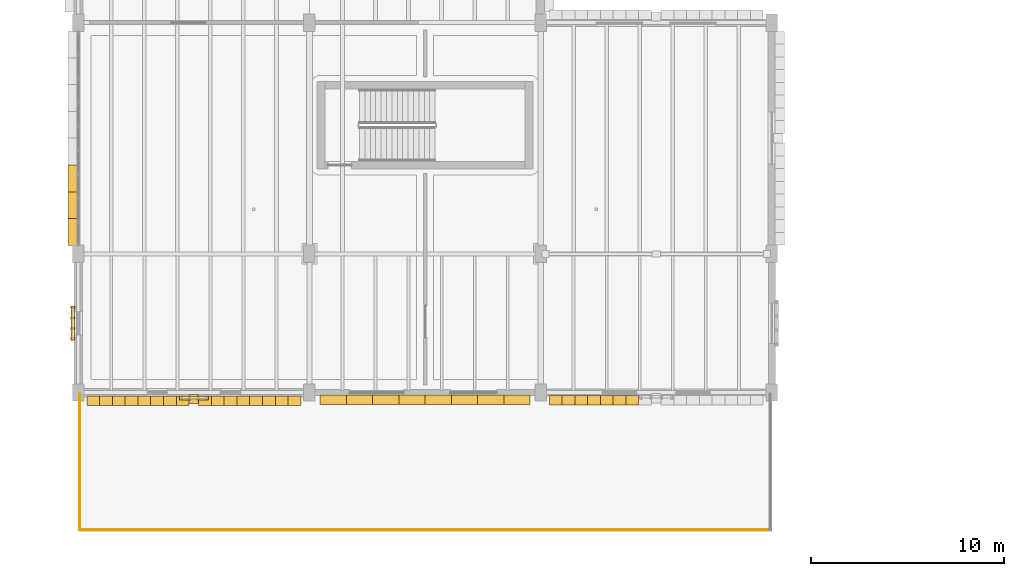
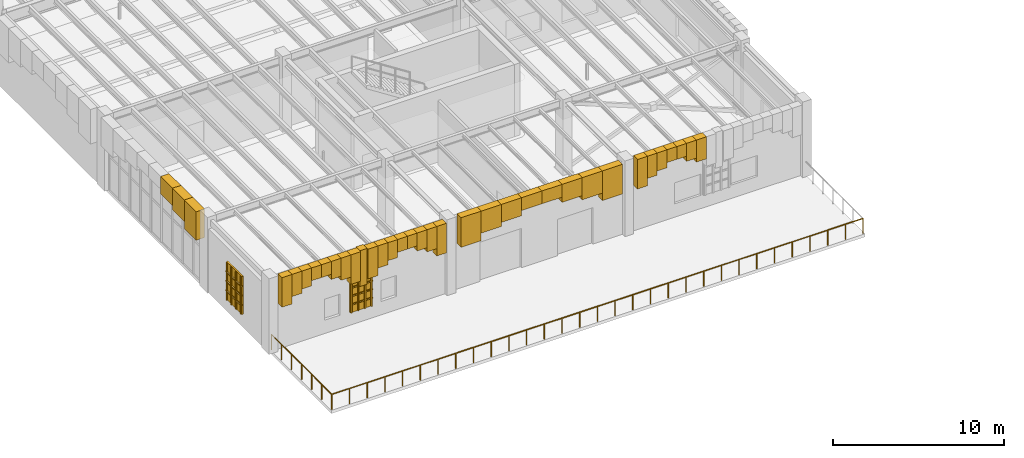
# One storey, part 70 of 103: 49 coverings, 2 railings, 2 shading devices.
"""IFC4 building model written with IfcOpenShell, lengths in metres."""

from ifc_helpers import new_model, si_unit, direction, frame, origin, origin_2d, place, context, subcontext, project, spatial, polyline, rectangle, circle, outline, extrude, material, layer, layer_set, type_object, element, save


model = new_model("IFC4")

# Units and contexts
model_context = context("Model", 3, precision=1e-05, world=origin(), true_north=direction((0.0, 1.0)))
body_context = subcontext(model_context, "Body", "Model", "MODEL_VIEW")
ifc_project = project(units=[si_unit("LENGTHUNIT", "METRE"), si_unit("AREAUNIT", "SQUARE_METRE"), si_unit("VOLUMEUNIT", "CUBIC_METRE"), si_unit("PLANEANGLEUNIT", "RADIAN"), si_unit("MASSUNIT", "GRAM", prefix="KILO")], contexts=[model_context])

# Site, building, storey
site_placement = place(None, origin())
site = spatial("IfcSite", under=ifc_project, at=site_placement, CompositionType="ELEMENT")
building_placement = place(site_placement, origin())
building = spatial("IfcBuilding", under=site, at=building_placement, Name="Zlatogorsky Bluff Art Gallery", CompositionType="ELEMENT")
storey_placement = place(building_placement, origin())
storey = spatial("IfcBuildingStorey", under=building, at=storey_placement, Name="L00", CompositionType="ELEMENT", Elevation=0.0)

# Coverings
ifc_material_1 = material(Name="Honed Red Agra-Tone Quartzitic Sandstone", Category="masonry")
ifc_layer = layer(ifc_material_1, 0.1201171875)
ifc_layer_set = layer_set([ifc_layer], Name="Carved Sandstone Cladding CLD-02")
covering_type = type_object("IfcCoveringType", Name="Carved Sandstone Cladding CLD-02", PredefinedType="CLADDING", material=ifc_layer_set)
covering_1_placement = place(storey_placement, frame((0.0, 0.0, 2.81005859375)))
element("IfcCovering", 1, at=covering_1_placement, inside=storey, type_object=covering_type, Name="Mughal blind-arch sandstone pilaster L00.S.0.1", PredefinedType="CLADDING", context=body_context, shape_type="SweptSolid", body=[
    extrude(outline(polyline([(5.760009765625, 6.6201171875), (6.239990234375, 6.6201171875), (6.239990234375, 7.10009765625), (5.760009765625, 7.10009765625), (5.760009765625, 6.6201171875)])), origin(), (0.0, 0.0, 1.0), 2.550048828125),
])
covering_2_placement = place(storey_placement, frame((0.0, 0.0, 3.25244140625)))
element("IfcCovering", 2, at=covering_2_placement, inside=storey, type_object=covering_type, Name="Pointed Mughal arch voussoir spandrel WARCH-L00-S-00-01-A.1", PredefinedType="CLADDING", context=body_context, shape_type="SweptSolid", body=[
    extrude(outline(polyline([(0.449951171875, 6.52001953125), (1.112548828125, 6.52001953125), (1.112548828125, 7.010009765625), (0.449951171875, 7.010009765625), (0.449951171875, 6.52001953125)])), origin(), (0.0, 0.0, 1.0), 2.107666015625),
])
covering_3_placement = place(storey_placement, frame((0.0, 0.0, 3.78369140625)))
element("IfcCovering", 3, at=covering_3_placement, inside=storey, type_object=covering_type, Name="Pointed Mughal arch voussoir spandrel WARCH-L00-S-00-01-A.2", PredefinedType="CLADDING", context=body_context, shape_type="SweptSolid", body=[
    extrude(outline(polyline([(1.112548828125, 6.52001953125), (1.77490234375, 6.52001953125), (1.77490234375, 7.010009765625), (1.112548828125, 7.010009765625), (1.112548828125, 6.52001953125)])), origin(), (0.0, 0.0, 1.0), 1.576416015625),
])
covering_4_placement = place(storey_placement, frame((0.0, 0.0, 4.07666015625)))
element("IfcCovering", 4, at=covering_4_placement, inside=storey, type_object=covering_type, Name="Pointed Mughal arch voussoir spandrel WARCH-L00-S-00-01-A.3", PredefinedType="CLADDING", context=body_context, shape_type="SweptSolid", body=[
    extrude(outline(polyline([(1.77490234375, 6.52001953125), (2.4375, 6.52001953125), (2.4375, 7.010009765625), (1.77490234375, 7.010009765625), (1.77490234375, 6.52001953125)])), origin(), (0.0, 0.0, 1.0), 1.283447265625),
])
covering_5_placement = place(storey_placement, frame((0.0, 0.0, 4.4453125)))
element("IfcCovering", 5, at=covering_5_placement, inside=storey, type_object=covering_type, Name="Pointed Mughal arch voussoir spandrel WARCH-L00-S-00-01-A.4", PredefinedType="CLADDING", context=body_context, shape_type="SweptSolid", body=[
    extrude(outline(polyline([(2.4375, 6.52001953125), (3.10009765625, 6.52001953125), (3.10009765625, 7.010009765625), (2.4375, 7.010009765625), (2.4375, 6.52001953125)])), origin(), (0.0, 0.0, 1.0), 0.914794921875),
])
covering_6_placement = place(storey_placement, frame((0.0, 0.0, 4.4453125)))
element("IfcCovering", 6, at=covering_6_placement, inside=storey, type_object=covering_type, Name="Pointed Mughal arch voussoir spandrel WARCH-L00-S-00-01-A.5", PredefinedType="CLADDING", context=body_context, shape_type="SweptSolid", body=[
    extrude(outline(polyline([(3.10009765625, 6.52001953125), (3.762451171875, 6.52001953125), (3.762451171875, 7.010009765625), (3.10009765625, 7.010009765625), (3.10009765625, 6.52001953125)])), origin(), (0.0, 0.0, 1.0), 0.914794921875),
])
covering_7_placement = place(storey_placement, frame((0.0, 0.0, 4.07666015625)))
element("IfcCovering", 7, at=covering_7_placement, inside=storey, type_object=covering_type, Name="Pointed Mughal arch voussoir spandrel WARCH-L00-S-00-01-A.6", PredefinedType="CLADDING", context=body_context, shape_type="SweptSolid", body=[
    extrude(outline(polyline([(3.762451171875, 6.52001953125), (4.425048828125, 6.52001953125), (4.425048828125, 7.010009765625), (3.762451171875, 7.010009765625), (3.762451171875, 6.52001953125)])), origin(), (0.0, 0.0, 1.0), 1.283447265625),
])
covering_8_placement = place(storey_placement, frame((0.0, 0.0, 3.78369140625)))
element("IfcCovering", 8, at=covering_8_placement, inside=storey, type_object=covering_type, Name="Pointed Mughal arch voussoir spandrel WARCH-L00-S-00-01-A.7", PredefinedType="CLADDING", context=body_context, shape_type="SweptSolid", body=[
    extrude(outline(polyline([(4.425048828125, 6.52001953125), (5.08740234375, 6.52001953125), (5.08740234375, 7.010009765625), (4.425048828125, 7.010009765625), (4.425048828125, 6.52001953125)])), origin(), (0.0, 0.0, 1.0), 1.576416015625),
])
covering_9_placement = place(storey_placement, frame((0.0, 0.0, 3.25244140625)))
element("IfcCovering", 9, at=covering_9_placement, inside=storey, type_object=covering_type, Name="Pointed Mughal arch voussoir spandrel WARCH-L00-S-00-01-A.8", PredefinedType="CLADDING", context=body_context, shape_type="SweptSolid", body=[
    extrude(outline(polyline([(5.08740234375, 6.52001953125), (5.75, 6.52001953125), (5.75, 7.010009765625), (5.08740234375, 7.010009765625), (5.08740234375, 6.52001953125)])), origin(), (0.0, 0.0, 1.0), 2.107666015625),
])
covering_10_placement = place(storey_placement, frame((0.0, 0.0, 3.25244140625)))
element("IfcCovering", 10, at=covering_10_placement, inside=storey, type_object=covering_type, Name="Pointed Mughal arch voussoir spandrel WARCH-L00-S-00-01-B.1", PredefinedType="CLADDING", context=body_context, shape_type="SweptSolid", body=[
    extrude(outline(polyline([(6.25, 6.52001953125), (6.91259765625, 6.52001953125), (6.91259765625, 7.010009765625), (6.25, 7.010009765625), (6.25, 6.52001953125)])), origin(), (0.0, 0.0, 1.0), 2.107666015625),
])
covering_11_placement = place(storey_placement, frame((0.0, 0.0, 3.78369140625)))
element("IfcCovering", 11, at=covering_11_placement, inside=storey, type_object=covering_type, Name="Pointed Mughal arch voussoir spandrel WARCH-L00-S-00-01-B.2", PredefinedType="CLADDING", context=body_context, shape_type="SweptSolid", body=[
    extrude(outline(polyline([(6.91259765625, 6.52001953125), (7.574951171875, 6.52001953125), (7.574951171875, 7.010009765625), (6.91259765625, 7.010009765625), (6.91259765625, 6.52001953125)])), origin(), (0.0, 0.0, 1.0), 1.576416015625),
])
covering_12_placement = place(storey_placement, frame((0.0, 0.0, 4.07666015625)))
element("IfcCovering", 12, at=covering_12_placement, inside=storey, type_object=covering_type, Name="Pointed Mughal arch voussoir spandrel WARCH-L00-S-00-01-B.3", PredefinedType="CLADDING", context=body_context, shape_type="SweptSolid", body=[
    extrude(outline(polyline([(7.574951171875, 6.52001953125), (8.237548828125, 6.52001953125), (8.237548828125, 7.010009765625), (7.574951171875, 7.010009765625), (7.574951171875, 6.52001953125)])), origin(), (0.0, 0.0, 1.0), 1.283447265625),
])
covering_13_placement = place(storey_placement, frame((0.0, 0.0, 4.4453125)))
element("IfcCovering", 13, at=covering_13_placement, inside=storey, type_object=covering_type, Name="Pointed Mughal arch voussoir spandrel WARCH-L00-S-00-01-B.4", PredefinedType="CLADDING", context=body_context, shape_type="SweptSolid", body=[
    extrude(outline(polyline([(8.237548828125, 6.52001953125), (8.89990234375, 6.52001953125), (8.89990234375, 7.010009765625), (8.237548828125, 7.010009765625), (8.237548828125, 6.52001953125)])), origin(), (0.0, 0.0, 1.0), 0.914794921875),
])
covering_14_placement = place(storey_placement, frame((0.0, 0.0, 4.4453125)))
element("IfcCovering", 14, at=covering_14_placement, inside=storey, type_object=covering_type, Name="Pointed Mughal arch voussoir spandrel WARCH-L00-S-00-01-B.5", PredefinedType="CLADDING", context=body_context, shape_type="SweptSolid", body=[
    extrude(outline(polyline([(8.89990234375, 6.52001953125), (9.5625, 6.52001953125), (9.5625, 7.010009765625), (8.89990234375, 7.010009765625), (8.89990234375, 6.52001953125)])), origin(), (0.0, 0.0, 1.0), 0.914794921875),
])
covering_15_placement = place(storey_placement, frame((0.0, 0.0, 4.07666015625)))
element("IfcCovering", 15, at=covering_15_placement, inside=storey, type_object=covering_type, Name="Pointed Mughal arch voussoir spandrel WARCH-L00-S-00-01-B.6", PredefinedType="CLADDING", context=body_context, shape_type="SweptSolid", body=[
    extrude(outline(polyline([(9.5625, 6.52001953125), (10.22509765625, 6.52001953125), (10.22509765625, 7.010009765625), (9.5625, 7.010009765625), (9.5625, 6.52001953125)])), origin(), (0.0, 0.0, 1.0), 1.283447265625),
])
covering_16_placement = place(storey_placement, frame((0.0, 0.0, 3.78369140625)))
element("IfcCovering", 16, at=covering_16_placement, inside=storey, type_object=covering_type, Name="Pointed Mughal arch voussoir spandrel WARCH-L00-S-00-01-B.7", PredefinedType="CLADDING", context=body_context, shape_type="SweptSolid", body=[
    extrude(outline(polyline([(10.22509765625, 6.52001953125), (10.887451171875, 6.52001953125), (10.887451171875, 7.010009765625), (10.22509765625, 7.010009765625), (10.22509765625, 6.52001953125)])), origin(), (0.0, 0.0, 1.0), 1.576416015625),
])
covering_17_placement = place(storey_placement, frame((0.0, 0.0, 3.25244140625)))
element("IfcCovering", 17, at=covering_17_placement, inside=storey, type_object=covering_type, Name="Pointed Mughal arch voussoir spandrel WARCH-L00-S-00-01-B.8", PredefinedType="CLADDING", context=body_context, shape_type="SweptSolid", body=[
    extrude(outline(polyline([(10.887451171875, 6.52001953125), (11.550048828125, 6.52001953125), (11.550048828125, 7.010009765625), (10.887451171875, 7.010009765625), (10.887451171875, 6.52001953125)])), origin(), (0.0, 0.0, 1.0), 2.107666015625),
])
covering_18_placement = place(storey_placement, frame((0.0, 0.0, 0.949951171875)))
element("IfcCovering", 18, at=covering_18_placement, inside=storey, type_object=covering_type, Name="Pierced sandstone jali lattice bar L00.S.0.1", PredefinedType="CLADDING", context=body_context, shape_type="SweptSolid", body=[
    extrude(outline(polyline([(5.280029296875, 6.820068359375), (5.3701171875, 6.820068359375), (5.3701171875, 7.010009765625), (5.280029296875, 7.010009765625), (5.280029296875, 6.820068359375)])), origin(), (0.0, 0.0, 1.0), 2.400146484375),
])
covering_19_placement = place(storey_placement, frame((0.0, 0.0, 0.949951171875)))
element("IfcCovering", 19, at=covering_19_placement, inside=storey, type_object=covering_type, Name="Pierced sandstone jali lattice bar L00.S.0.1", PredefinedType="CLADDING", context=body_context, shape_type="SweptSolid", body=[
    extrude(outline(polyline([(5.72998046875, 6.820068359375), (5.820068359375, 6.820068359375), (5.820068359375, 7.010009765625), (5.72998046875, 7.010009765625), (5.72998046875, 6.820068359375)])), origin(), (0.0, 0.0, 1.0), 2.400146484375),
])
covering_20_placement = place(storey_placement, frame((0.0, 0.0, 0.949951171875)))
element("IfcCovering", 20, at=covering_20_placement, inside=storey, type_object=covering_type, Name="Pierced sandstone jali lattice bar L00.S.0.1", PredefinedType="CLADDING", context=body_context, shape_type="SweptSolid", body=[
    extrude(outline(polyline([(6.179931640625, 6.820068359375), (6.27001953125, 6.820068359375), (6.27001953125, 7.010009765625), (6.179931640625, 7.010009765625), (6.179931640625, 6.820068359375)])), origin(), (0.0, 0.0, 1.0), 2.400146484375),
])
covering_21_placement = place(storey_placement, frame((0.0, 0.0, 0.949951171875)))
element("IfcCovering", 21, at=covering_21_placement, inside=storey, type_object=covering_type, Name="Pierced sandstone jali lattice bar L00.S.0.1", PredefinedType="CLADDING", context=body_context, shape_type="SweptSolid", body=[
    extrude(outline(polyline([(6.6298828125, 6.820068359375), (6.719970703125, 6.820068359375), (6.719970703125, 7.010009765625), (6.6298828125, 7.010009765625), (6.6298828125, 6.820068359375)])), origin(), (0.0, 0.0, 1.0), 2.400146484375),
])
covering_22_placement = place(storey_placement, frame((0.0, 0.0, 1.510009765625)))
element("IfcCovering", 22, at=covering_22_placement, inside=storey, type_object=covering_type, Name="Pierced sandstone jali lattice transom L00.S.0.1", PredefinedType="CLADDING", context=body_context, shape_type="SweptSolid", body=[
    extrude(outline(polyline([(5.25, 6.820068359375), (6.75, 6.820068359375), (6.75, 7.010009765625), (5.25, 7.010009765625), (5.25, 6.820068359375)])), origin(), (0.0, 0.0, 1.0), 0.080078125),
])
covering_23_placement = place(storey_placement, frame((0.0, 0.0, 2.110107421875)))
element("IfcCovering", 23, at=covering_23_placement, inside=storey, type_object=covering_type, Name="Pierced sandstone jali lattice transom L00.S.0.1", PredefinedType="CLADDING", context=body_context, shape_type="SweptSolid", body=[
    extrude(outline(polyline([(5.25, 6.820068359375), (6.75, 6.820068359375), (6.75, 7.010009765625), (5.25, 7.010009765625), (5.25, 6.820068359375)])), origin(), (0.0, 0.0, 1.0), 0.079833984375),
])
covering_24_placement = place(storey_placement, frame((0.0, 0.0, 2.7099609375)))
element("IfcCovering", 24, at=covering_24_placement, inside=storey, type_object=covering_type, Name="Pierced sandstone jali lattice transom L00.S.0.1", PredefinedType="CLADDING", context=body_context, shape_type="SweptSolid", body=[
    extrude(outline(polyline([(5.25, 6.820068359375), (6.75, 6.820068359375), (6.75, 7.010009765625), (5.25, 7.010009765625), (5.25, 6.820068359375)])), origin(), (0.0, 0.0, 1.0), 0.080078125),
])
covering_25_placement = place(storey_placement, frame((0.0, 0.0, 0.949951171875)))
element("IfcCovering", 25, at=covering_25_placement, inside=storey, type_object=covering_type, Name="Pierced sandstone jali lattice bar L00.W.0.1", PredefinedType="CLADDING", context=body_context, shape_type="SweptSolid", body=[
    extrude(outline(polyline([(-0.3798828125, 9.945068359375), (-0.3798828125, 10.034912109375), (-0.18994140625, 10.034912109375), (-0.18994140625, 9.945068359375), (-0.3798828125, 9.945068359375)])), origin(), (0.0, 0.0, 1.0), 2.699951171875),
])
covering_26_placement = place(storey_placement, frame((0.0, 0.0, 0.949951171875)))
element("IfcCovering", 26, at=covering_26_placement, inside=storey, type_object=covering_type, Name="Pierced sandstone jali lattice bar L00.W.0.1", PredefinedType="CLADDING", context=body_context, shape_type="SweptSolid", body=[
    extrude(outline(polyline([(-0.3798828125, 10.485107421875), (-0.3798828125, 10.574951171875), (-0.18994140625, 10.574951171875), (-0.18994140625, 10.485107421875), (-0.3798828125, 10.485107421875)])), origin(), (0.0, 0.0, 1.0), 2.699951171875),
])
covering_27_placement = place(storey_placement, frame((0.0, 0.0, 0.949951171875)))
element("IfcCovering", 27, at=covering_27_placement, inside=storey, type_object=covering_type, Name="Pierced sandstone jali lattice bar L00.W.0.1", PredefinedType="CLADDING", context=body_context, shape_type="SweptSolid", body=[
    extrude(outline(polyline([(-0.3798828125, 11.02490234375), (-0.3798828125, 11.114990234375), (-0.18994140625, 11.114990234375), (-0.18994140625, 11.02490234375), (-0.3798828125, 11.02490234375)])), origin(), (0.0, 0.0, 1.0), 2.699951171875),
])
covering_28_placement = place(storey_placement, frame((0.0, 0.0, 0.949951171875)))
element("IfcCovering", 28, at=covering_28_placement, inside=storey, type_object=covering_type, Name="Pierced sandstone jali lattice bar L00.W.0.1", PredefinedType="CLADDING", context=body_context, shape_type="SweptSolid", body=[
    extrude(outline(polyline([(-0.3798828125, 11.56494140625), (-0.3798828125, 11.655029296875), (-0.18994140625, 11.655029296875), (-0.18994140625, 11.56494140625), (-0.3798828125, 11.56494140625)])), origin(), (0.0, 0.0, 1.0), 2.699951171875),
])
for number, where, name in (
    (29, (0.0, 0.0, 1.5849609375), "Pierced sandstone jali lattice transom L00.W.0.1"),
    (30, (0.0, 0.0, 2.260009765625), "Pierced sandstone jali lattice transom L00.W.0.1"),
):
    element("IfcCovering", number, at=place(storey_placement, frame(where)), inside=storey, type_object=covering_type, Name=name, PredefinedType="CLADDING", context=body_context, shape_type="SweptSolid", body=[
        extrude(outline(polyline([(-0.3798828125, 9.89990234375), (-0.3798828125, 11.699951171875), (-0.18994140625, 11.699951171875), (-0.18994140625, 9.89990234375), (-0.3798828125, 9.89990234375)])), origin(), (0.0, 0.0, 1.0), 0.080078125),
    ])
covering_29_placement = place(storey_placement, frame((0.0, 0.0, 2.93505859375)))
element("IfcCovering", 31, at=covering_29_placement, inside=storey, type_object=covering_type, Name="Pierced sandstone jali lattice transom L00.W.0.1", PredefinedType="CLADDING", context=body_context, shape_type="SweptSolid", body=[
    extrude(outline(polyline([(-0.3798828125, 9.89990234375), (-0.3798828125, 11.699951171875), (-0.18994140625, 11.699951171875), (-0.18994140625, 9.89990234375), (-0.3798828125, 9.89990234375)])), origin(), (0.0, 0.0, 1.0), 0.079833984375),
])
covering_30_placement = place(storey_placement, frame((0.0, 0.0, 3.327880859375)))
element("IfcCovering", 32, at=covering_30_placement, inside=storey, type_object=covering_type, Name="Pointed Mughal arch voussoir spandrel ARCH-CW-L00-W-00-02.1", PredefinedType="CLADDING", context=body_context, shape_type="SweptSolid", body=[
    extrude(outline(polyline([(-0.5400390625, 14.844970703125), (-0.5400390625, 16.23388671875), (0.030029296875, 16.23388671875), (0.030029296875, 14.844970703125), (-0.5400390625, 14.844970703125)])), origin(), (0.0, 0.0, 1.0), 2.0322265625),
])
covering_31_placement = place(storey_placement, frame((0.0, 0.0, 3.82958984375)))
element("IfcCovering", 33, at=covering_31_placement, inside=storey, type_object=covering_type, Name="Pointed Mughal arch voussoir spandrel ARCH-CW-L00-W-00-02.2", PredefinedType="CLADDING", context=body_context, shape_type="SweptSolid", body=[
    extrude(outline(polyline([(-0.5400390625, 16.23388671875), (-0.5400390625, 17.62255859375), (0.030029296875, 17.62255859375), (0.030029296875, 16.23388671875), (-0.5400390625, 16.23388671875)])), origin(), (0.0, 0.0, 1.0), 1.530517578125),
])
covering_32_placement = place(storey_placement, frame((0.0, 0.0, 4.1064453125)))
element("IfcCovering", 34, at=covering_32_placement, inside=storey, type_object=covering_type, Name="Pointed Mughal arch voussoir spandrel ARCH-CW-L00-W-00-02.3", PredefinedType="CLADDING", context=body_context, shape_type="SweptSolid", body=[
    extrude(outline(polyline([(-0.5400390625, 17.62255859375), (-0.5400390625, 19.01123046875), (0.030029296875, 19.01123046875), (0.030029296875, 17.62255859375), (-0.5400390625, 17.62255859375)])), origin(), (0.0, 0.0, 1.0), 1.253662109375),
])
covering_33_placement = place(storey_placement, frame((0.0, 0.0, 3.25244140625)))
element("IfcCovering", 35, at=covering_33_placement, inside=storey, type_object=covering_type, Name="Pointed Mughal arch voussoir spandrel WARCH-L00-S-01-01-A.1", PredefinedType="CLADDING", context=body_context, shape_type="SweptSolid", body=[
    extrude(outline(polyline([(12.550048828125, 6.580078125), (13.91259765625, 6.580078125), (13.91259765625, 7.070068359375), (12.550048828125, 7.070068359375), (12.550048828125, 6.580078125)])), origin(), (0.0, 0.0, 1.0), 2.107666015625),
])
covering_34_placement = place(storey_placement, frame((0.0, 0.0, 3.78369140625)))
element("IfcCovering", 36, at=covering_34_placement, inside=storey, type_object=covering_type, Name="Pointed Mughal arch voussoir spandrel WARCH-L00-S-01-01-A.2", PredefinedType="CLADDING", context=body_context, shape_type="SweptSolid", body=[
    extrude(outline(polyline([(13.91259765625, 6.580078125), (15.27490234375, 6.580078125), (15.27490234375, 7.070068359375), (13.91259765625, 7.070068359375), (13.91259765625, 6.580078125)])), origin(), (0.0, 0.0, 1.0), 1.576416015625),
])
covering_35_placement = place(storey_placement, frame((0.0, 0.0, 4.07666015625)))
element("IfcCovering", 37, at=covering_35_placement, inside=storey, type_object=covering_type, Name="Pointed Mughal arch voussoir spandrel WARCH-L00-S-01-01-A.3", PredefinedType="CLADDING", context=body_context, shape_type="SweptSolid", body=[
    extrude(outline(polyline([(15.27490234375, 6.580078125), (16.637451171875, 6.580078125), (16.637451171875, 7.070068359375), (15.27490234375, 7.070068359375), (15.27490234375, 6.580078125)])), origin(), (0.0, 0.0, 1.0), 1.283447265625),
])
covering_36_placement = place(storey_placement, frame((0.0, 0.0, 4.4453125)))
element("IfcCovering", 38, at=covering_36_placement, inside=storey, type_object=covering_type, Name="Pointed Mughal arch voussoir spandrel WARCH-L00-S-01-01-A.4", PredefinedType="CLADDING", context=body_context, shape_type="SweptSolid", body=[
    extrude(outline(polyline([(16.637451171875, 6.580078125), (18.0, 6.580078125), (18.0, 7.070068359375), (16.637451171875, 7.070068359375), (16.637451171875, 6.580078125)])), origin(), (0.0, 0.0, 1.0), 0.914794921875),
])
covering_37_placement = place(storey_placement, frame((0.0, 0.0, 4.4453125)))
element("IfcCovering", 39, at=covering_37_placement, inside=storey, type_object=covering_type, Name="Pointed Mughal arch voussoir spandrel WARCH-L00-S-01-01-A.5", PredefinedType="CLADDING", context=body_context, shape_type="SweptSolid", body=[
    extrude(outline(polyline([(18.0, 6.580078125), (19.362548828125, 6.580078125), (19.362548828125, 7.070068359375), (18.0, 7.070068359375), (18.0, 6.580078125)])), origin(), (0.0, 0.0, 1.0), 0.914794921875),
])
covering_38_placement = place(storey_placement, frame((0.0, 0.0, 4.07666015625)))
element("IfcCovering", 40, at=covering_38_placement, inside=storey, type_object=covering_type, Name="Pointed Mughal arch voussoir spandrel WARCH-L00-S-01-01-A.6", PredefinedType="CLADDING", context=body_context, shape_type="SweptSolid", body=[
    extrude(outline(polyline([(19.362548828125, 6.580078125), (20.72509765625, 6.580078125), (20.72509765625, 7.070068359375), (19.362548828125, 7.070068359375), (19.362548828125, 6.580078125)])), origin(), (0.0, 0.0, 1.0), 1.283447265625),
])
covering_39_placement = place(storey_placement, frame((0.0, 0.0, 3.78369140625)))
element("IfcCovering", 41, at=covering_39_placement, inside=storey, type_object=covering_type, Name="Pointed Mughal arch voussoir spandrel WARCH-L00-S-01-01-A.7", PredefinedType="CLADDING", context=body_context, shape_type="SweptSolid", body=[
    extrude(outline(polyline([(20.72509765625, 6.580078125), (22.08740234375, 6.580078125), (22.08740234375, 7.070068359375), (20.72509765625, 7.070068359375), (20.72509765625, 6.580078125)])), origin(), (0.0, 0.0, 1.0), 1.576416015625),
])
covering_40_placement = place(storey_placement, frame((0.0, 0.0, 3.25244140625)))
element("IfcCovering", 42, at=covering_40_placement, inside=storey, type_object=covering_type, Name="Pointed Mughal arch voussoir spandrel WARCH-L00-S-01-01-A.8", PredefinedType="CLADDING", context=body_context, shape_type="SweptSolid", body=[
    extrude(outline(polyline([(22.08740234375, 6.580078125), (23.449951171875, 6.580078125), (23.449951171875, 7.070068359375), (22.08740234375, 7.070068359375), (22.08740234375, 6.580078125)])), origin(), (0.0, 0.0, 1.0), 2.107666015625),
])
covering_41_placement = place(storey_placement, frame((0.0, 0.0, 3.25244140625)))
element("IfcCovering", 43, at=covering_41_placement, inside=storey, type_object=covering_type, Name="Pointed Mughal arch voussoir spandrel WARCH-L00-S-02-01-A.1", PredefinedType="CLADDING", context=body_context, shape_type="SweptSolid", body=[
    extrude(outline(polyline([(24.449951171875, 6.56005859375), (25.112548828125, 6.56005859375), (25.112548828125, 7.050048828125), (24.449951171875, 7.050048828125), (24.449951171875, 6.56005859375)])), origin(), (0.0, 0.0, 1.0), 2.107666015625),
])
covering_42_placement = place(storey_placement, frame((0.0, 0.0, 3.78369140625)))
element("IfcCovering", 44, at=covering_42_placement, inside=storey, type_object=covering_type, Name="Pointed Mughal arch voussoir spandrel WARCH-L00-S-02-01-A.2", PredefinedType="CLADDING", context=body_context, shape_type="SweptSolid", body=[
    extrude(outline(polyline([(25.112548828125, 6.56005859375), (25.77490234375, 6.56005859375), (25.77490234375, 7.050048828125), (25.112548828125, 7.050048828125), (25.112548828125, 6.56005859375)])), origin(), (0.0, 0.0, 1.0), 1.576416015625),
])
covering_43_placement = place(storey_placement, frame((0.0, 0.0, 4.07666015625)))
element("IfcCovering", 45, at=covering_43_placement, inside=storey, type_object=covering_type, Name="Pointed Mughal arch voussoir spandrel WARCH-L00-S-02-01-A.3", PredefinedType="CLADDING", context=body_context, shape_type="SweptSolid", body=[
    extrude(outline(polyline([(25.77490234375, 6.56005859375), (26.4375, 6.56005859375), (26.4375, 7.050048828125), (25.77490234375, 7.050048828125), (25.77490234375, 6.56005859375)])), origin(), (0.0, 0.0, 1.0), 1.283447265625),
])
covering_44_placement = place(storey_placement, frame((0.0, 0.0, 4.4453125)))
element("IfcCovering", 46, at=covering_44_placement, inside=storey, type_object=covering_type, Name="Pointed Mughal arch voussoir spandrel WARCH-L00-S-02-01-A.4", PredefinedType="CLADDING", context=body_context, shape_type="SweptSolid", body=[
    extrude(outline(polyline([(26.4375, 6.56005859375), (27.10009765625, 6.56005859375), (27.10009765625, 7.050048828125), (26.4375, 7.050048828125), (26.4375, 6.56005859375)])), origin(), (0.0, 0.0, 1.0), 0.914794921875),
])
covering_45_placement = place(storey_placement, frame((0.0, 0.0, 4.4453125)))
element("IfcCovering", 47, at=covering_45_placement, inside=storey, type_object=covering_type, Name="Pointed Mughal arch voussoir spandrel WARCH-L00-S-02-01-A.5", PredefinedType="CLADDING", context=body_context, shape_type="SweptSolid", body=[
    extrude(outline(polyline([(27.10009765625, 6.56005859375), (27.762451171875, 6.56005859375), (27.762451171875, 7.050048828125), (27.10009765625, 7.050048828125), (27.10009765625, 6.56005859375)])), origin(), (0.0, 0.0, 1.0), 0.914794921875),
])
covering_46_placement = place(storey_placement, frame((0.0, 0.0, 4.07666015625)))
element("IfcCovering", 48, at=covering_46_placement, inside=storey, type_object=covering_type, Name="Pointed Mughal arch voussoir spandrel WARCH-L00-S-02-01-A.6", PredefinedType="CLADDING", context=body_context, shape_type="SweptSolid", body=[
    extrude(outline(polyline([(27.762451171875, 6.56005859375), (28.425048828125, 6.56005859375), (28.425048828125, 7.050048828125), (27.762451171875, 7.050048828125), (27.762451171875, 6.56005859375)])), origin(), (0.0, 0.0, 1.0), 1.283447265625),
])
covering_47_placement = place(storey_placement, frame((0.0, 0.0, 3.78369140625)))
element("IfcCovering", 49, at=covering_47_placement, inside=storey, type_object=covering_type, Name="Pointed Mughal arch voussoir spandrel WARCH-L00-S-02-01-A.7", PredefinedType="CLADDING", context=body_context, shape_type="SweptSolid", body=[
    extrude(outline(polyline([(28.425048828125, 6.56005859375), (29.08740234375, 6.56005859375), (29.08740234375, 7.050048828125), (28.425048828125, 7.050048828125), (28.425048828125, 6.56005859375)])), origin(), (0.0, 0.0, 1.0), 1.576416015625),
])

# Railings
ifc_material_2 = material(Name="Architectural Bronze and Laminated Glass", Category="glass")
railing_type = type_object("IfcRailingType", Name="Gallery Guard Rail 1100mm", PredefinedType="GUARDRAIL", material=ifc_material_2)
railing_1_placement = place(storey_placement, frame((35.919921875, 0.080078125, 0.0)))
element("IfcRailing", 50, at=railing_1_placement, inside=storey, type_object=railing_type, Name="Sculpture terrace balustrade TERR-L00-01.2", PredefinedType="GUARDRAIL", context=body_context, shape_type="SweptSolid", body=[
    extrude(circle(Radius=0.02392578125, at=origin_2d()), frame((0.0, 0.0, 1.076171875), z_axis=(-1.0, 0.0, 0.0), x_axis=(0.0, -1.0, 0.0)), (0.0, 0.0, 1.0), 35.83984375),
    extrude(circle(Radius=0.02099609375, at=origin_2d()), origin(), (0.0, 0.0, 1.0), 1.052001953125),
    extrude(circle(Radius=0.02099609375, at=origin_2d()), frame((-1.194580078125, 0.0, 0.0)), (0.0, 0.0, 1.0), 1.052001953125),
    extrude(circle(Radius=0.02099609375, at=origin_2d()), frame((-2.389404296875, 0.0, 0.0)), (0.0, 0.0, 1.0), 1.052001953125),
    extrude(circle(Radius=0.02099609375, at=origin_2d()), frame((-3.583984375, 0.0, 0.0)), (0.0, 0.0, 1.0), 1.052001953125),
    extrude(circle(Radius=0.02099609375, at=origin_2d()), frame((-4.778564453125, 0.0, 0.0)), (0.0, 0.0, 1.0), 1.052001953125),
    extrude(circle(Radius=0.02099609375, at=origin_2d()), frame((-5.973388671875, 0.0, 0.0)), (0.0, 0.0, 1.0), 1.052001953125),
    extrude(circle(Radius=0.02099609375, at=origin_2d()), frame((-7.16796875, 0.0, 0.0)), (0.0, 0.0, 1.0), 1.052001953125),
    extrude(circle(Radius=0.02099609375, at=origin_2d()), frame((-8.362548828125, 0.0, 0.0)), (0.0, 0.0, 1.0), 1.052001953125),
    extrude(circle(Radius=0.02099609375, at=origin_2d()), frame((-9.557373046875, 0.0, 0.0)), (0.0, 0.0, 1.0), 1.052001953125),
    extrude(circle(Radius=0.02099609375, at=origin_2d()), frame((-10.751953125, 0.0, 0.0)), (0.0, 0.0, 1.0), 1.052001953125),
    extrude(circle(Radius=0.02099609375, at=origin_2d()), frame((-11.946533203125, 0.0, 0.0)), (0.0, 0.0, 1.0), 1.052001953125),
    extrude(circle(Radius=0.02099609375, at=origin_2d()), frame((-13.141357421875, 0.0, 0.0)), (0.0, 0.0, 1.0), 1.052001953125),
    extrude(circle(Radius=0.02099609375, at=origin_2d()), frame((-14.3359375, 0.0, 0.0)), (0.0, 0.0, 1.0), 1.052001953125),
    extrude(circle(Radius=0.02099609375, at=origin_2d()), frame((-15.530517578125, 0.0, 0.0)), (0.0, 0.0, 1.0), 1.052001953125),
    extrude(circle(Radius=0.02099609375, at=origin_2d()), frame((-16.725341796875, 0.0, 0.0)), (0.0, 0.0, 1.0), 1.052001953125),
    extrude(circle(Radius=0.02099609375, at=origin_2d()), frame((-17.919921875, 0.0, 0.0)), (0.0, 0.0, 1.0), 1.052001953125),
    extrude(circle(Radius=0.02099609375, at=origin_2d()), frame((-19.114501953125, 0.0, 0.0)), (0.0, 0.0, 1.0), 1.052001953125),
    extrude(circle(Radius=0.02099609375, at=origin_2d()), frame((-20.309326171875, 0.0, 0.0)), (0.0, 0.0, 1.0), 1.052001953125),
    extrude(circle(Radius=0.02099609375, at=origin_2d()), frame((-21.50390625, 0.0, 0.0)), (0.0, 0.0, 1.0), 1.052001953125),
    extrude(circle(Radius=0.02099609375, at=origin_2d()), frame((-22.698486328125, 0.0, 0.0)), (0.0, 0.0, 1.0), 1.052001953125),
    extrude(circle(Radius=0.02099609375, at=origin_2d()), frame((-23.893310546875, 0.0, 0.0)), (0.0, 0.0, 1.0), 1.052001953125),
    extrude(circle(Radius=0.02099609375, at=origin_2d()), frame((-25.087890625, 0.0, 0.0)), (0.0, 0.0, 1.0), 1.052001953125),
    extrude(circle(Radius=0.02099609375, at=origin_2d()), frame((-26.282470703125, 0.0, 0.0)), (0.0, 0.0, 1.0), 1.052001953125),
    extrude(circle(Radius=0.02099609375, at=origin_2d()), frame((-27.477294921875, 0.0, 0.0)), (0.0, 0.0, 1.0), 1.052001953125),
    extrude(circle(Radius=0.02099609375, at=origin_2d()), frame((-28.671875, 0.0, 0.0)), (0.0, 0.0, 1.0), 1.052001953125),
    extrude(circle(Radius=0.02099609375, at=origin_2d()), frame((-29.866455078125, 0.0, 0.0)), (0.0, 0.0, 1.0), 1.052001953125),
    extrude(circle(Radius=0.02099609375, at=origin_2d()), frame((-31.061279296875, 0.0, 0.0)), (0.0, 0.0, 1.0), 1.052001953125),
    extrude(circle(Radius=0.02099609375, at=origin_2d()), frame((-32.255859375, 0.0, 0.0)), (0.0, 0.0, 1.0), 1.052001953125),
    extrude(circle(Radius=0.02099609375, at=origin_2d()), frame((-33.450439453125, 0.0, 0.0)), (0.0, 0.0, 1.0), 1.052001953125),
    extrude(circle(Radius=0.02099609375, at=origin_2d()), frame((-34.645263671875, 0.0, 0.0)), (0.0, 0.0, 1.0), 1.052001953125),
    extrude(circle(Radius=0.02099609375, at=origin_2d()), frame((-35.83984375, 0.0, 0.0)), (0.0, 0.0, 1.0), 1.052001953125),
])
railing_2_placement = place(storey_placement, frame((0.080078125, 0.080078125, 0.0)))
element("IfcRailing", 51, at=railing_2_placement, inside=storey, type_object=railing_type, Name="Sculpture terrace balustrade TERR-L00-01.3", PredefinedType="GUARDRAIL", context=body_context, shape_type="SweptSolid", body=[
    extrude(circle(Radius=0.02392578125, at=origin_2d()), frame((0.0, 0.0, 1.076171875), z_axis=(0.0, 1.0, 0.0), x_axis=(-1.0, 0.0, 0.0)), (0.0, 0.0, 1.0), 7.0400390625),
    extrude(circle(Radius=0.02099609375, at=origin_2d()), origin(), (0.0, 0.0, 1.0), 1.052001953125),
    extrude(circle(Radius=0.02099609375, at=origin_2d()), frame((0.0, 1.17333984375, 0.0)), (0.0, 0.0, 1.0), 1.052001953125),
    extrude(circle(Radius=0.02099609375, at=origin_2d()), frame((0.0, 2.3466796875, 0.0)), (0.0, 0.0, 1.0), 1.052001953125),
    extrude(circle(Radius=0.02099609375, at=origin_2d()), frame((0.0, 3.52001953125, 0.0)), (0.0, 0.0, 1.0), 1.052001953125),
    extrude(circle(Radius=0.02099609375, at=origin_2d()), frame((0.0, 4.693359375, 0.0)), (0.0, 0.0, 1.0), 1.052001953125),
    extrude(circle(Radius=0.02099609375, at=origin_2d()), frame((0.0, 5.86669921875, 0.0)), (0.0, 0.0, 1.0), 1.052001953125),
    extrude(circle(Radius=0.02099609375, at=origin_2d()), frame((0.0, 7.0400390625, 0.0)), (0.0, 0.0, 1.0), 1.052001953125),
])

# Shading devices
ifc_material_3 = material(Name="CNC-Pierced Red Quartzitic Sandstone Jali", Category="masonry")
shading_device_type_1 = type_object("IfcShadingDeviceType", Name="Pierced Stone Jali Screen JAL-01", PredefinedType="JALOUSIE", material=ifc_material_3)
shading_device_1_placement = place(storey_placement, frame((6.0, 6.93994140625, 0.949951171875), z_axis=(0.0, 0.0, 1.0), x_axis=(1.0, 0.0, 0.0)))
element("IfcShadingDevice", 52, at=shading_device_1_placement, inside=storey, type_object=shading_device_type_1, Name="Pierced stone jali screen JAL-01", PredefinedType="JALOUSIE", context=body_context, shape_type="SweptSolid", body=[
    extrude(rectangle(XDim=1.5, YDim=0.1201171875, at=origin_2d()), origin(), (0.0, 0.0, 1.0), 2.39990234375),
])
shading_device_type_2 = type_object("IfcShadingDeviceType", Name="Pierced Stone Jali Screen JAL-02", PredefinedType="JALOUSIE", material=ifc_material_3)
shading_device_2_placement = place(storey_placement, frame((-0.260009765625, 10.800048828125, 0.9501953125), z_axis=(0.0, 0.0, 1.0), x_axis=(1.0, 0.0, 0.0)))
element("IfcShadingDevice", 53, at=shading_device_2_placement, inside=storey, type_object=shading_device_type_2, Name="Pierced stone jali screen JAL-02", PredefinedType="JALOUSIE", context=body_context, shape_type="SweptSolid", body=[
    extrude(rectangle(XDim=0.1201171875, YDim=1.800048828125, at=origin_2d()), origin(), (0.0, 0.0, 1.0), 2.699951171875),
])

save(model, "model.ifc")
